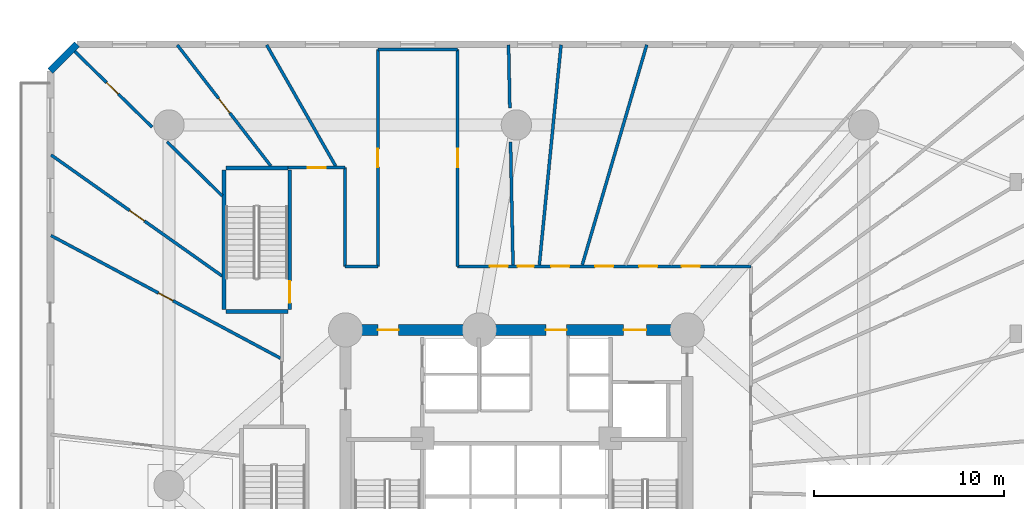
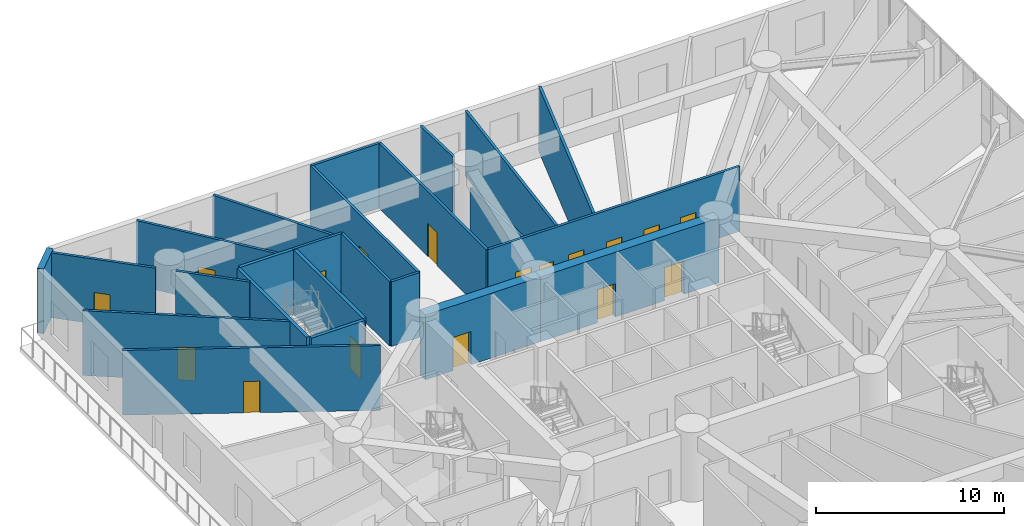
# One storey, part 17 of 26: 24 walls, 17 doors, 17 openings.
"""IFC4 building model written with IfcOpenShell, lengths in metres."""

from ifc_helpers import new_model, si_unit, direction, frame, frame_2d, origin, origin_with_axes, place, context, subcontext, project, spatial, rectangle, extrude, source, transform, mapped, material, layer, layer_set, type_object, element, fill, save


model = new_model("IFC4")

# Units and contexts
model_context = context("Model", 3, precision=1e-05, world=origin(), true_north=direction((0.0, 1.0)))
body_context = subcontext(model_context, "Body", "Model", "MODEL_VIEW")
ifc_project = project(units=[si_unit("LENGTHUNIT", "METRE"), si_unit("AREAUNIT", "SQUARE_METRE"), si_unit("VOLUMEUNIT", "CUBIC_METRE"), si_unit("PLANEANGLEUNIT", "RADIAN"), si_unit("MASSUNIT", "GRAM", prefix="KILO")], contexts=[model_context])

# Site, building, storey
site_placement = place(None, origin())
site = spatial("IfcSite", under=ifc_project, at=site_placement, CompositionType="ELEMENT")
building_placement = place(site_placement, origin())
building = spatial("IfcBuilding", under=site, at=building_placement, Name="Karkom Vertical University and Central Library", CompositionType="ELEMENT")
storey_placement = place(building_placement, frame((0.0, 0.0, 9.0)))
storey = spatial("IfcBuildingStorey", under=building, at=storey_placement, Name="L02", CompositionType="ELEMENT", Elevation=9.0)

# Wall
ifc_material_1 = material(Name="Brick masonry 360mm insulated cavity", Category="masonry")
ifc_layer_1 = layer(ifc_material_1, 0.360107421875)
ifc_layer_set_1 = layer_set([ifc_layer_1], Name="Brick masonry 360mm insulated cavity")
wall_type_1 = type_object("IfcWallType", Name="ENV-WL-BRK-360", PredefinedType="SOLIDWALL", material=ifc_layer_set_1)
wall_1_placement = place(storey_placement, frame((5.35009765625, 49.75, 0.0), z_axis=(0.0, 0.0, 1.0), x_axis=(-0.707168432242, -0.707045124756, 0.0)))
element("IfcWall", 1, at=wall_1_placement, inside=storey, type_object=wall_type_1, Name="Level 02 POD Terracotta Brick Facade Wall 06", PredefinedType="SOLIDWALL", context=body_context, shape_type="SweptSolid", body=[
    extrude(rectangle(XDim=1.97998046875, YDim=0.360107421875, at=frame_2d((0.989990234375, 0.0))), origin(), (0.0, 0.0, 1.0), 4.199951171875),
])

# Wall, openings, doors
ifc_material_2 = material(Name="Insulated metal-stud drywall 160mm", Category="gypsum")
ifc_layer_2 = layer(ifc_material_2, 0.159912109375)
ifc_layer_set_2 = layer_set([ifc_layer_2], Name="Insulated metal-stud drywall 160mm")
wall_type_2 = type_object("IfcWallType", Name="INT-WL-COR-160", PredefinedType="PARTITIONING", material=ifc_layer_set_2)
wall_2_placement = place(storey_placement, frame((25.39990234375, 38.050048828125, 0.0), z_axis=(0.0, 0.0, 1.0), x_axis=(1.0, 0.0, 0.0)))
wall_2 = element("IfcWall", 2, at=wall_2_placement, inside=storey, type_object=wall_type_2, Name="Level 02 Interior Partition Wall Level 02-PDCW-CW-008", PredefinedType="PARTITIONING", context=body_context, shape_type="SweptSolid", body=[
    extrude(rectangle(XDim=15.4501953125, YDim=0.159912109375, at=frame_2d((7.72509765625, 0.0))), origin(), (0.0, 0.0, 1.0), 4.199951171875),
])
opening_1_placement = place(wall_2_placement, frame((11.802490234375, 0.0, 0.0)))
opening_1 = element("IfcOpeningElement", 3, at=opening_1_placement, cuts=wall_2, Name="Opening FD-RM2", PredefinedType="OPENING", context=body_context, shape_type="SweptSolid", body=[
    extrude(rectangle(XDim=0.9599609375, YDim=2.14990234375, at=frame_2d((0.47998046875, 1.074951171875))), frame((0.0, 0.08984375, 0.0), z_axis=(0.0, -1.0, 0.0), x_axis=(1.0, 0.0, 0.0)), (0.0, 0.0, 1.0), 0.179931640625),
])
opening_2_placement = place(wall_2_placement, frame((9.5673828125, 0.0, 0.0)))
opening_2 = element("IfcOpeningElement", 4, at=opening_2_placement, cuts=wall_2, Name="Opening FD-RM2", PredefinedType="OPENING", context=body_context, shape_type="SweptSolid", body=[
    extrude(rectangle(XDim=0.9599609375, YDim=2.14990234375, at=frame_2d((0.47998046875, 1.074951171875))), frame((0.0, 0.08984375, 0.0), z_axis=(0.0, -1.0, 0.0), x_axis=(1.0, 0.0, 0.0)), (0.0, 0.0, 1.0), 0.179931640625),
])
opening_3_placement = place(wall_2_placement, frame((7.25, 0.0, 0.0)))
opening_3 = element("IfcOpeningElement", 5, at=opening_3_placement, cuts=wall_2, Name="Opening FD-RM2", PredefinedType="OPENING", context=body_context, shape_type="SweptSolid", body=[
    extrude(rectangle(XDim=0.9599609375, YDim=2.14990234375, at=frame_2d((0.47998046875, 1.074951171875))), frame((0.0, 0.08984375, 0.0), z_axis=(0.0, -1.0, 0.0), x_axis=(1.0, 0.0, 0.0)), (0.0, 0.0, 1.0), 0.179931640625),
])
opening_4_placement = place(wall_2_placement, frame((4.9326171875, 0.0, 0.0)))
opening_4 = element("IfcOpeningElement", 6, at=opening_4_placement, cuts=wall_2, Name="Opening FD-RM2", PredefinedType="OPENING", context=body_context, shape_type="SweptSolid", body=[
    extrude(rectangle(XDim=0.9599609375, YDim=2.14990234375, at=frame_2d((0.47998046875, 1.074951171875))), frame((0.0, 0.08984375, 0.0), z_axis=(0.0, -1.0, 0.0), x_axis=(1.0, 0.0, 0.0)), (0.0, 0.0, 1.0), 0.179931640625),
])
opening_5_placement = place(wall_2_placement, frame((1.697509765625, 0.0, 0.0)))
opening_5 = element("IfcOpeningElement", 7, at=opening_5_placement, cuts=wall_2, Name="Opening FD-RM2", PredefinedType="OPENING", context=body_context, shape_type="SweptSolid", body=[
    extrude(rectangle(XDim=0.9599609375, YDim=2.14990234375, at=frame_2d((0.47998046875, 1.074951171875))), frame((0.0, 0.08984375, 0.0), z_axis=(0.0, -1.0, 0.0), x_axis=(1.0, 0.0, 0.0)), (0.0, 0.0, 1.0), 0.179931640625),
])
opening_6_placement = place(wall_2_placement, frame((3.1640625, 0.0, 0.0)))
opening_6 = element("IfcOpeningElement", 8, at=opening_6_placement, cuts=wall_2, Name="Opening FD-BTH2", PredefinedType="OPENING", context=body_context, shape_type="SweptSolid", body=[
    extrude(rectangle(XDim=0.860107421875, YDim=2.0400390625, at=frame_2d((0.43017578125, 1.02001953125))), frame((0.0, 0.08984375, 0.0), z_axis=(0.0, -1.0, 0.0), x_axis=(1.0, 0.0, 0.0)), (0.0, 0.0, 1.0), 0.179931640625),
])
ifc_material_3 = material(Name="Fire-rated oak veneer door", Category="wood")
door_type_1 = type_object("IfcDoorType", Name="INT-DR-FRM2", OperationType="NOTDEFINED", PredefinedType="DOOR", material=ifc_material_3)
shared_shape_1 = source(origin_with_axes(), body_context, "Body", "SweptSolid", [
    extrude(rectangle(XDim=0.9599609375, YDim=2.14990234375, at=frame_2d((0.47998046875, 1.074951171875))), frame((0.0, 0.02490234375, 0.0), z_axis=(0.0, -1.0, 0.0), x_axis=(1.0, 0.0, 0.0)), (0.0, 0.0, 1.0), 0.050048828125),
])
door_1_placement = place(opening_1_placement, origin())
door_1 = element("IfcDoor", 9, at=door_1_placement, inside=storey, type_object=door_type_1, Name="Level 02 Room Entry Door 831", OperationType="SINGLE_SWING_LEFT", OverallHeight=2.14990234375, OverallWidth=0.9599609375, PredefinedType="DOOR", context=body_context, shape_type="MappedRepresentation", body=[
    mapped(shared_shape_1, transform((0.0, 0.0, 0.0), scale=1.0)),
])
fill(opening_1, door_1)
door_2_placement = place(opening_2_placement, origin())
door_2 = element("IfcDoor", 10, at=door_2_placement, inside=storey, type_object=door_type_1, Name="Level 02 Room Entry Door 832", OperationType="SINGLE_SWING_RIGHT", OverallHeight=2.14990234375, OverallWidth=0.9599609375, PredefinedType="DOOR", context=body_context, shape_type="MappedRepresentation", body=[
    mapped(shared_shape_1, transform((0.0, 0.0, 0.0), scale=1.0)),
])
fill(opening_2, door_2)
door_3_placement = place(opening_3_placement, origin())
door_3 = element("IfcDoor", 11, at=door_3_placement, inside=storey, type_object=door_type_1, Name="Level 02 Room Entry Door 833", OperationType="SINGLE_SWING_LEFT", OverallHeight=2.14990234375, OverallWidth=0.9599609375, PredefinedType="DOOR", context=body_context, shape_type="MappedRepresentation", body=[
    mapped(shared_shape_1, transform((0.0, 0.0, 0.0), scale=1.0)),
])
fill(opening_3, door_3)
door_4_placement = place(opening_4_placement, origin())
door_4 = element("IfcDoor", 12, at=door_4_placement, inside=storey, type_object=door_type_1, Name="Level 02 Room Entry Door 834", OperationType="SINGLE_SWING_RIGHT", OverallHeight=2.14990234375, OverallWidth=0.9599609375, PredefinedType="DOOR", context=body_context, shape_type="MappedRepresentation", body=[
    mapped(shared_shape_1, transform((0.0, 0.0, 0.0), scale=1.0)),
])
fill(opening_4, door_4)
door_5_placement = place(opening_5_placement, origin())
door_5 = element("IfcDoor", 13, at=door_5_placement, inside=storey, type_object=door_type_1, Name="Level 02 Room Entry Door 835", OperationType="SINGLE_SWING_LEFT", OverallHeight=2.14990234375, OverallWidth=0.9599609375, PredefinedType="DOOR", context=body_context, shape_type="MappedRepresentation", body=[
    mapped(shared_shape_1, transform((0.0, 0.0, 0.0), scale=1.0)),
])
fill(opening_5, door_5)
ifc_material_4 = material(Name="Fire-rated moisture-resistant oak door", Category="wood")
door_type_2 = type_object("IfcDoorType", Name="INT-DR-FBTH2", OperationType="NOTDEFINED", PredefinedType="DOOR", material=ifc_material_4)
shared_shape_2 = source(origin_with_axes(), body_context, "Body", "SweptSolid", [
    extrude(rectangle(XDim=0.860107421875, YDim=2.0400390625, at=frame_2d((0.43017578125, 1.02001953125))), frame((0.0, 0.02490234375, 0.0), z_axis=(0.0, -1.0, 0.0), x_axis=(1.0, 0.0, 0.0)), (0.0, 0.0, 1.0), 0.050048828125),
])
door_6_placement = place(opening_6_placement, origin())
door_6 = element("IfcDoor", 14, at=door_6_placement, inside=storey, type_object=door_type_2, Name="Level 02 Digital Fabrication Classroom Entry Door", OperationType="SINGLE_SWING_LEFT", OverallHeight=2.0400390625, OverallWidth=0.860107421875, PredefinedType="DOOR", context=body_context, shape_type="MappedRepresentation", body=[
    mapped(shared_shape_2, transform((0.0, 0.0, 0.0), scale=1.0)),
])
fill(opening_6, door_6)

# Wall, opening, door
wall_3_placement = place(storey_placement, frame((16.068115234375, 33.21435546875, 0.0), z_axis=(0.0, 0.0, 1.0), x_axis=(-0.881886972295, 0.471460887132, 0.0)))
wall_3 = element("IfcWall", 15, at=wall_3_placement, inside=storey, type_object=wall_type_2, Name="Level 02 Interior Partition Wall Level 02-PODW-42-43-1", PredefinedType="PARTITIONING", context=body_context, shape_type="SweptSolid", body=[
    extrude(rectangle(XDim=13.7041015625, YDim=0.159912109375, at=frame_2d((6.85205078125, 0.0))), origin(), (0.0, 0.0, 1.0), 4.199951171875),
])
opening_7_placement = place(wall_3_placement, frame((6.422119140625, 0.0, 0.0)))
opening_7 = element("IfcOpeningElement", 16, at=opening_7_placement, cuts=wall_3, Name="Opening FD-BTH2", PredefinedType="OPENING", context=body_context, shape_type="SweptSolid", body=[
    extrude(rectangle(XDim=0.860107421875, YDim=2.0400390625, at=frame_2d((0.43017578125, 1.02001953125))), frame((0.0, 0.08984375, 0.0), z_axis=(0.0, -1.0, 0.0), x_axis=(1.0, 0.0, 0.0)), (0.0, 0.0, 1.0), 0.179931640625),
])
door_7_placement = place(opening_7_placement, origin())
door_7 = element("IfcDoor", 17, at=door_7_placement, inside=storey, type_object=door_type_2, Name="Level 02 Faculty Board Meeting Room Entry Door", OperationType="SINGLE_SWING_LEFT", OverallHeight=2.0400390625, OverallWidth=0.860107421875, PredefinedType="DOOR", context=body_context, shape_type="MappedRepresentation", body=[
    mapped(shared_shape_2, transform((0.0, 0.0, 0.0), scale=1.0)),
])
fill(opening_7, door_7)

# Walls
wall_4_placement = place(storey_placement, frame((31.9716796875, 38.132080078125, 0.0), z_axis=(0.0, 0.0, 1.0), x_axis=(0.281237056868, 0.959638326582, 0.0)))
element("IfcWall", 18, at=wall_4_placement, inside=storey, type_object=wall_type_2, Name="Level 02 Interior Partition Wall Level 02-PODW-34-35-1", PredefinedType="PARTITIONING", context=body_context, shape_type="SweptSolid", body=[
    extrude(rectangle(XDim=12.077880859375, YDim=0.159912109375, at=frame_2d((6.0390625, 0.0))), origin(), (0.0, 0.0, 1.0), 4.199951171875),
])
wall_5_placement = place(storey_placement, frame((29.70947265625, 38.132080078125, 0.0), z_axis=(0.0, 0.0, 1.0), x_axis=(0.098293881021, 0.995157431241, 0.0)))
element("IfcWall", 19, at=wall_5_placement, inside=storey, type_object=wall_type_2, Name="Level 02 Interior Partition Wall Level 02-PODW-35-36-1", PredefinedType="PARTITIONING", context=body_context, shape_type="SweptSolid", body=[
    extrude(rectangle(XDim=11.64892578125, YDim=0.159912109375, at=frame_2d((5.824462890625, 0.0))), origin(), (0.0, 0.0, 1.0), 4.199951171875),
])

# Wall, opening, door
wall_6_placement = place(storey_placement, frame((21.199951171875, 38.050048828125, 0.0), z_axis=(0.0, 0.0, 1.0), x_axis=(0.0, 1.0, 0.0)))
wall_6 = element("IfcWall", 20, at=wall_6_placement, inside=storey, type_object=wall_type_2, Name="Level 02 Interior Partition Wall Level 02-PDCW-CW-005", PredefinedType="PARTITIONING", context=body_context, shape_type="SweptSolid", body=[
    extrude(rectangle(XDim=11.419921875, YDim=0.159912109375, at=frame_2d((5.7099609375, 0.0))), origin(), (0.0, 0.0, 1.0), 4.199951171875),
])
opening_8_placement = place(wall_6_placement, frame((5.235107421875, 0.0, 0.0)))
opening_8 = element("IfcOpeningElement", 21, at=opening_8_placement, cuts=wall_6, Name="Opening FD-RM2", PredefinedType="OPENING", context=body_context, shape_type="SweptSolid", body=[
    extrude(rectangle(XDim=0.9599609375, YDim=2.14990234375, at=frame_2d((0.47998046875, 1.074951171875))), frame((0.0, 0.08984375, 0.0), z_axis=(0.0, -1.0, 0.0), x_axis=(1.0, 0.0, 0.0)), (0.0, 0.0, 1.0), 0.179931640625),
])
door_8_placement = place(opening_8_placement, origin())
door_8 = element("IfcDoor", 22, at=door_8_placement, inside=storey, type_object=door_type_1, Name="Level 02 Room Entry Door 837", OperationType="SINGLE_SWING_LEFT", OverallHeight=2.14990234375, OverallWidth=0.9599609375, PredefinedType="DOOR", context=body_context, shape_type="MappedRepresentation", body=[
    mapped(shared_shape_1, transform((0.0, 0.0, 0.0), scale=1.0)),
])
fill(opening_8, door_8)

wall_7_placement = place(storey_placement, frame((25.39990234375, 49.469970703125, 0.0), z_axis=(0.0, 0.0, 1.0), x_axis=(0.0, -1.0, 0.0)))
wall_7 = element("IfcWall", 23, at=wall_7_placement, inside=storey, type_object=wall_type_2, Name="Level 02 Interior Partition Wall Level 02-PDCW-CW-007", PredefinedType="PARTITIONING", context=body_context, shape_type="SweptSolid", body=[
    extrude(rectangle(XDim=11.419921875, YDim=0.159912109375, at=frame_2d((5.7099609375, 0.0))), origin(), (0.0, 0.0, 1.0), 4.199951171875),
])
opening_9_placement = place(wall_7_placement, frame((5.235107421875, 0.0, 0.0)))
opening_9 = element("IfcOpeningElement", 24, at=opening_9_placement, cuts=wall_7, Name="Opening FD-RM2", PredefinedType="OPENING", context=body_context, shape_type="SweptSolid", body=[
    extrude(rectangle(XDim=0.9599609375, YDim=2.14990234375, at=frame_2d((0.47998046875, 1.074951171875))), frame((0.0, 0.08984375, 0.0), z_axis=(0.0, -1.0, 0.0), x_axis=(1.0, 0.0, 0.0)), (0.0, 0.0, 1.0), 0.179931640625),
])
door_9_placement = place(opening_9_placement, origin())
door_9 = element("IfcDoor", 25, at=door_9_placement, inside=storey, type_object=door_type_1, Name="Level 02 Room Entry Door 836", OperationType="SINGLE_SWING_RIGHT", OverallHeight=2.14990234375, OverallWidth=0.9599609375, PredefinedType="DOOR", context=body_context, shape_type="MappedRepresentation", body=[
    mapped(shared_shape_1, transform((0.0, 0.0, 0.0), scale=1.0)),
])
fill(opening_9, door_9)

wall_8_placement = place(storey_placement, frame((13.005126953125, 37.539794921875, 0.0), z_axis=(0.0, 0.0, 1.0), x_axis=(-0.816255020813, 0.577691735269, 0.0)))
wall_8 = element("IfcWall", 26, at=wall_8_placement, inside=storey, type_object=wall_type_2, Name="Level 02 Interior Partition Wall Level 02-PODW-41-42-1", PredefinedType="PARTITIONING", context=body_context, shape_type="SweptSolid", body=[
    extrude(rectangle(XDim=11.04833984375, YDim=0.159912109375, at=frame_2d((5.524169921875, 0.0))), origin(), (0.0, 0.0, 1.0), 4.199951171875),
])
opening_10_placement = place(wall_8_placement, frame((5.024169921875, 0.0, 0.0)))
opening_10 = element("IfcOpeningElement", 27, at=opening_10_placement, cuts=wall_8, Name="Opening FD-RM2", PredefinedType="OPENING", context=body_context, shape_type="SweptSolid", body=[
    extrude(rectangle(XDim=0.9599609375, YDim=2.14990234375, at=frame_2d((0.47998046875, 1.074951171875))), frame((0.0, 0.08984375, 0.0), z_axis=(0.0, -1.0, 0.0), x_axis=(1.0, 0.0, 0.0)), (0.0, 0.0, 1.0), 0.179931640625),
])
door_10_placement = place(opening_10_placement, origin())
door_10 = element("IfcDoor", 28, at=door_10_placement, inside=storey, type_object=door_type_1, Name="Level 02 Room Entry Door 840", OperationType="SINGLE_SWING_RIGHT", OverallHeight=2.14990234375, OverallWidth=0.9599609375, PredefinedType="DOOR", context=body_context, shape_type="MappedRepresentation", body=[
    mapped(shared_shape_1, transform((0.0, 0.0, 0.0), scale=1.0)),
])
fill(opening_10, door_10)

wall_9_placement = place(storey_placement, frame((15.564697265625, 43.3369140625, 0.0), z_axis=(0.0, 0.0, 1.0), x_axis=(-0.611449226112, 0.791283668407, 0.0)))
wall_9 = element("IfcWall", 29, at=wall_9_placement, inside=storey, type_object=wall_type_2, Name="Level 02 Interior Partition Wall Level 02-PODW-39-40-1", PredefinedType="PARTITIONING", context=body_context, shape_type="SweptSolid", body=[
    extrude(rectangle(XDim=8.055908203125, YDim=0.159912109375, at=frame_2d((4.02783203125, 0.0))), origin(), (0.0, 0.0, 1.0), 4.199951171875),
])
opening_11_placement = place(wall_9_placement, frame((3.535400390625, 0.0, 0.0)))
opening_11 = element("IfcOpeningElement", 30, at=opening_11_placement, cuts=wall_9, Name="Opening FD-RM2", PredefinedType="OPENING", context=body_context, shape_type="SweptSolid", body=[
    extrude(rectangle(XDim=0.9599609375, YDim=2.14990234375, at=frame_2d((0.47998046875, 1.074951171875))), frame((0.0, 0.08984375, 0.0), z_axis=(0.0, -1.0, 0.0), x_axis=(1.0, 0.0, 0.0)), (0.0, 0.0, 1.0), 0.179931640625),
])
door_11_placement = place(opening_11_placement, origin())
door_11 = element("IfcDoor", 31, at=door_11_placement, inside=storey, type_object=door_type_1, Name="Level 02 Room Entry Door 839", OperationType="SINGLE_SWING_LEFT", OverallHeight=2.14990234375, OverallWidth=0.9599609375, PredefinedType="DOOR", context=body_context, shape_type="MappedRepresentation", body=[
    mapped(shared_shape_1, transform((0.0, 0.0, 0.0), scale=1.0)),
])
fill(opening_11, door_11)

# Walls
wall_10_placement = place(storey_placement, frame((18.9794921875, 43.33203125, 0.0), z_axis=(0.0, 0.0, 1.0), x_axis=(-0.495000650274, 0.868892603391, 0.0)))
element("IfcWall", 32, at=wall_10_placement, inside=storey, type_object=wall_type_2, Name="Level 02 Interior Partition Wall Level 02-PODW-38-39-1", PredefinedType="PARTITIONING", context=body_context, shape_type="SweptSolid", body=[
    extrude(rectangle(XDim=7.347900390625, YDim=0.159912109375, at=frame_2d((3.673828125, 0.0))), origin(), (0.0, 0.0, 1.0), 4.199951171875),
])
wall_11_placement = place(storey_placement, frame((28.323486328125, 38.132080078125, 0.0), z_axis=(0.0, 0.0, 1.0), x_axis=(-0.020309370156, 0.999793743471, 0.0)))
element("IfcWall", 33, at=wall_11_placement, inside=storey, type_object=wall_type_2, Name="Level 02 Interior Partition Wall Level 02-PODW-36-37-2", PredefinedType="PARTITIONING", context=body_context, shape_type="SweptSolid", body=[
    extrude(rectangle(XDim=6.479248046875, YDim=0.159912109375, at=frame_2d((3.23974609375, 0.0))), origin(), (0.0, 0.0, 1.0), 3.25),
])

# Wall, opening, door
wall_12_placement = place(storey_placement, frame((9.31005859375, 45.384521484375, 0.0), z_axis=(0.0, 0.0, 1.0), x_axis=(-0.714336488375, 0.699802387375, 0.0)))
wall_12 = element("IfcWall", 34, at=wall_12_placement, inside=storey, type_object=wall_type_2, Name="Level 02 Interior Partition Wall Level 02-PODW-40-41-2", PredefinedType="PARTITIONING", context=body_context, shape_type="SweptSolid", body=[
    extrude(rectangle(XDim=5.8623046875, YDim=0.159912109375, at=frame_2d((2.93115234375, 0.0))), origin(), (0.0, 0.0, 1.0), 4.199951171875),
])
opening_12_placement = place(wall_12_placement, frame((2.501220703125, 0.0, 0.0)))
opening_12 = element("IfcOpeningElement", 35, at=opening_12_placement, cuts=wall_12, Name="Opening FD-BTH2", PredefinedType="OPENING", context=body_context, shape_type="SweptSolid", body=[
    extrude(rectangle(XDim=0.860107421875, YDim=2.0400390625, at=frame_2d((0.43017578125, 1.02001953125))), frame((0.0, 0.08984375, 0.0), z_axis=(0.0, -1.0, 0.0), x_axis=(1.0, 0.0, 0.0)), (0.0, 0.0, 1.0), 0.179931640625),
])
door_12_placement = place(opening_12_placement, origin())
door_12 = element("IfcDoor", 36, at=door_12_placement, inside=storey, type_object=door_type_2, Name="Level 02 Digital Fabrication Classroom Entry Door", OperationType="SINGLE_SWING_RIGHT", OverallHeight=2.0400390625, OverallWidth=0.860107421875, PredefinedType="DOOR", context=body_context, shape_type="MappedRepresentation", body=[
    mapped(shared_shape_2, transform((0.0, 0.0, 0.0), scale=1.0)),
])
fill(opening_12, door_12)

# Walls
wall_13_placement = place(storey_placement, frame((19.47998046875, 43.25, 0.0), z_axis=(0.0, 0.0, 1.0), x_axis=(0.0, -1.0, 0.0)))
element("IfcWall", 37, at=wall_13_placement, inside=storey, type_object=wall_type_2, Name="Level 02 Interior Partition Wall Level 02-PDCW-CW-003", PredefinedType="PARTITIONING", context=body_context, shape_type="SweptSolid", body=[
    extrude(rectangle(XDim=5.199951171875, YDim=0.159912109375, at=frame_2d((2.60009765625, 0.0))), origin(), (0.0, 0.0, 1.0), 4.199951171875),
])
wall_14_placement = place(storey_placement, frame((21.199951171875, 49.469970703125, 0.0), z_axis=(0.0, 0.0, 1.0), x_axis=(1.0, 0.0, 0.0)))
element("IfcWall", 38, at=wall_14_placement, inside=storey, type_object=wall_type_2, Name="Level 02 Interior Partition Wall Level 02-PDCW-CW-006", PredefinedType="PARTITIONING", context=body_context, shape_type="SweptSolid", body=[
    extrude(rectangle(XDim=4.199951171875, YDim=0.159912109375, at=frame_2d((2.10009765625, 0.0))), origin(), (0.0, 0.0, 1.0), 4.199951171875),
])
wall_15_placement = place(storey_placement, frame((13.003662109375, 41.765625, 0.0), z_axis=(0.0, 0.0, 1.0), x_axis=(-0.714278297669, 0.699861781696, 0.0)))
element("IfcWall", 39, at=wall_15_placement, inside=storey, type_object=wall_type_2, Name="Level 02 Interior Partition Wall Level 02-PODW-40-41-1", PredefinedType="PARTITIONING", context=body_context, shape_type="SweptSolid", body=[
    extrude(rectangle(XDim=4.064453125, YDim=0.159912109375, at=frame_2d((2.0322265625, 0.0))), origin(), (0.0, 0.0, 1.0), 4.199951171875),
])
wall_16_placement = place(storey_placement, frame((28.15576171875, 46.389892578125, 0.0), z_axis=(0.0, 0.0, 1.0), x_axis=(-0.020345688852, 0.999793005049, 0.0)))
element("IfcWall", 40, at=wall_16_placement, inside=storey, type_object=wall_type_2, Name="Level 02 Interior Partition Wall Level 02-PODW-36-37-1", PredefinedType="PARTITIONING", context=body_context, shape_type="SweptSolid", body=[
    extrude(rectangle(XDim=3.3359375, YDim=0.159912109375, at=frame_2d((1.66796875, 0.0))), origin(), (0.0, 0.0, 1.0), 4.199951171875),
])

# Wall, opening, door
wall_17_placement = place(storey_placement, frame((16.465087890625, 43.25, 0.0), z_axis=(0.0, 0.0, 1.0), x_axis=(1.0, 0.0, 0.0)))
wall_17 = element("IfcWall", 41, at=wall_17_placement, inside=storey, type_object=wall_type_2, Name="Level 02 Interior Partition Wall Level 02-PDCW-CW-002", PredefinedType="PARTITIONING", context=body_context, shape_type="SweptSolid", body=[
    extrude(rectangle(XDim=3.014892578125, YDim=0.159912109375, at=frame_2d((1.50732421875, 0.0))), origin(), (0.0, 0.0, 1.0), 4.199951171875),
])
opening_13_placement = place(wall_17_placement, frame((1.034912109375, 0.0, 0.0)))
opening_13 = element("IfcOpeningElement", 42, at=opening_13_placement, cuts=wall_17, Name="Opening FD-RM2", PredefinedType="OPENING", context=body_context, shape_type="SweptSolid", body=[
    extrude(rectangle(XDim=0.9599609375, YDim=2.14990234375, at=frame_2d((0.47998046875, 1.074951171875))), frame((0.0, 0.08984375, 0.0), z_axis=(0.0, -1.0, 0.0), x_axis=(1.0, 0.0, 0.0)), (0.0, 0.0, 1.0), 0.179931640625),
])
door_13_placement = place(opening_13_placement, origin())
door_13 = element("IfcDoor", 43, at=door_13_placement, inside=storey, type_object=door_type_1, Name="Level 02 Room Entry Door 838", OperationType="SINGLE_SWING_RIGHT", OverallHeight=2.14990234375, OverallWidth=0.9599609375, PredefinedType="DOOR", context=body_context, shape_type="MappedRepresentation", body=[
    mapped(shared_shape_1, transform((0.0, 0.0, 0.0), scale=1.0)),
])
fill(opening_13, door_13)

# Wall
wall_18_placement = place(storey_placement, frame((19.47998046875, 38.050048828125, 0.0), z_axis=(0.0, 0.0, 1.0), x_axis=(1.0, 0.0, 0.0)))
element("IfcWall", 44, at=wall_18_placement, inside=storey, type_object=wall_type_2, Name="Level 02 Interior Partition Wall Level 02-PDCW-CW-004", PredefinedType="PARTITIONING", context=body_context, shape_type="SweptSolid", body=[
    extrude(rectangle(XDim=1.719970703125, YDim=0.159912109375, at=frame_2d((0.85986328125, 0.0))), origin(), (0.0, 0.0, 1.0), 4.199951171875),
])

# Wall, openings, doors
ifc_material_5 = material(Name="Concrete C50/60", Category="concrete")
ifc_layer_3 = layer(ifc_material_5, 0.60009765625)
ifc_layer_set_3 = layer_set([ifc_layer_3], Name="Concrete C50/60")
wall_type_3 = type_object("IfcWallType", Name="STR-WL-CW-600", PredefinedType="SHEAR", material=ifc_layer_set_3)
wall_19_placement = place(storey_placement, frame((37.5, 34.699951171875, 0.0), z_axis=(0.0, 0.0, 1.0), x_axis=(-1.0, 0.0, 0.0)))
wall_19 = element("IfcWall", 45, at=wall_19_placement, inside=storey, type_object=wall_type_3, Name="Level 02 Central Core Shear Wall NW1", PredefinedType="SHEAR", context=body_context, shape_type="SweptSolid", body=[
    extrude(rectangle(XDim=10.949951171875, YDim=0.60009765625, at=frame_2d((5.47509765625, 0.0))), origin(), (0.0, 0.0, 1.0), 4.199951171875),
])
opening_14_placement = place(wall_19_placement, frame((2.14990234375, 0.0, 0.0)))
opening_14 = element("IfcOpeningElement", 46, at=opening_14_placement, cuts=wall_19, Name="Opening FD-SUB1", PredefinedType="OPENING", context=body_context, shape_type="SweptSolid", body=[
    extrude(rectangle(XDim=1.199951171875, YDim=2.14990234375, at=frame_2d((0.60009765625, 1.074951171875))), frame((0.0, 0.31005859375, 0.0), z_axis=(0.0, -1.0, 0.0), x_axis=(1.0, 0.0, 0.0)), (0.0, 0.0, 1.0), 0.6201171875),
])
opening_15_placement = place(wall_19_placement, frame((6.35009765625, 0.0, 0.0)))
opening_15 = element("IfcOpeningElement", 47, at=opening_15_placement, cuts=wall_19, Name="Opening FD-FFL", PredefinedType="OPENING", context=body_context, shape_type="SweptSolid", body=[
    extrude(rectangle(XDim=1.10009765625, YDim=2.14990234375, at=frame_2d((0.550048828125, 1.074951171875))), frame((0.0, 0.31005859375, 0.0), z_axis=(0.0, -1.0, 0.0), x_axis=(1.0, 0.0, 0.0)), (0.0, 0.0, 1.0), 0.6201171875),
])
ifc_material_6 = material(Name="Painted steel smoke-seal fire door", Category="steel")
door_type_3 = type_object("IfcDoorType", Name="INT-DR-FFL", OperationType="NOTDEFINED", PredefinedType="DOOR", material=ifc_material_6)
shared_shape_3 = source(origin_with_axes(), body_context, "Body", "SweptSolid", [
    extrude(rectangle(XDim=1.10009765625, YDim=2.14990234375, at=frame_2d((0.550048828125, 1.074951171875))), frame((0.0, 0.02490234375, 0.0), z_axis=(0.0, -1.0, 0.0), x_axis=(1.0, 0.0, 0.0)), (0.0, 0.0, 1.0), 0.050048828125),
])
door_14_placement = place(opening_15_placement, origin())
door_14 = element("IfcDoor", 48, at=door_14_placement, inside=storey, type_object=door_type_3, Name="Level 02 North Core Lobby Exit Door", OperationType="SINGLE_SWING_LEFT", OverallHeight=2.14990234375, OverallWidth=1.10009765625, PredefinedType="DOOR", context=body_context, shape_type="MappedRepresentation", body=[
    mapped(shared_shape_3, transform((0.0, 0.0, 0.0), scale=1.0)),
])
fill(opening_15, door_14)
ifc_material_7 = material(Name="Painted steel fire door", Category="steel")
door_type_4 = type_object("IfcDoorType", Name="INT-DR-SUB1", OperationType="NOTDEFINED", PredefinedType="DOOR", material=ifc_material_7)
shared_shape_4 = source(origin_with_axes(), body_context, "Body", "SweptSolid", [
    extrude(rectangle(XDim=1.199951171875, YDim=2.14990234375, at=frame_2d((0.60009765625, 1.074951171875))), frame((0.0, 0.02490234375, 0.0), z_axis=(0.0, -1.0, 0.0), x_axis=(1.0, 0.0, 0.0)), (0.0, 0.0, 1.0), 0.050048828125),
])
door_15_placement = place(opening_14_placement, origin())
door_15 = element("IfcDoor", 49, at=door_15_placement, inside=storey, type_object=door_type_4, Name="Level 02 Service Lobby Fire Door", OperationType="SINGLE_SWING_LEFT", OverallHeight=2.14990234375, OverallWidth=1.199951171875, PredefinedType="DOOR", context=body_context, shape_type="MappedRepresentation", body=[
    mapped(shared_shape_4, transform((0.0, 0.0, 0.0), scale=1.0)),
])
fill(opening_14, door_15)

# Wall, opening, door
wall_20_placement = place(storey_placement, frame((26.550048828125, 34.699951171875, 0.0), z_axis=(0.0, 0.0, 1.0), x_axis=(-1.0, 0.0, 0.0)))
wall_20 = element("IfcWall", 50, at=wall_20_placement, inside=storey, type_object=wall_type_3, Name="Level 02 Central Core Shear Wall NW2", PredefinedType="SHEAR", context=body_context, shape_type="SweptSolid", body=[
    extrude(rectangle(XDim=7.050048828125, YDim=0.60009765625, at=frame_2d((3.52490234375, 0.0))), origin(), (0.0, 0.0, 1.0), 4.199951171875),
])
opening_16_placement = place(wall_20_placement, frame((4.25, 0.0, 0.0)))
opening_16 = element("IfcOpeningElement", 51, at=opening_16_placement, cuts=wall_20, Name="Opening FD-FFL", PredefinedType="OPENING", context=body_context, shape_type="SweptSolid", body=[
    extrude(rectangle(XDim=1.10009765625, YDim=2.14990234375, at=frame_2d((0.550048828125, 1.074951171875))), frame((0.0, 0.31005859375, 0.0), z_axis=(0.0, -1.0, 0.0), x_axis=(1.0, 0.0, 0.0)), (0.0, 0.0, 1.0), 0.6201171875),
])
door_16_placement = place(opening_16_placement, origin())
door_16 = element("IfcDoor", 52, at=door_16_placement, inside=storey, type_object=door_type_3, Name="Level 02 Firefighting Lobby Door", OperationType="SINGLE_SWING_RIGHT", OverallHeight=2.14990234375, OverallWidth=1.10009765625, PredefinedType="DOOR", context=body_context, shape_type="MappedRepresentation", body=[
    mapped(shared_shape_3, transform((0.0, 0.0, 0.0), scale=1.0)),
])
fill(opening_16, door_16)

# Wall
ifc_material_8 = material(Name="Concrete C45/55", Category="concrete")
ifc_layer_4 = layer(ifc_material_8, 0.199951171875)
ifc_layer_set_4 = layer_set([ifc_layer_4], Name="Concrete C45/55")
wall_type_4 = type_object("IfcWallType", Name="STR-WL-ST-200", PredefinedType="SHEAR", material=ifc_layer_set_4)
wall_21_placement = place(storey_placement, frame((13.094970703125, 35.780029296875, 0.0), z_axis=(0.0, 0.0, 1.0), x_axis=(0.0, 1.0, 0.0)))
element("IfcWall", 53, at=wall_21_placement, inside=storey, type_object=wall_type_4, Name="Level 02 Core Shaft Wall Level 02-W-POD2-W", PredefinedType="SHEAR", context=body_context, shape_type="SweptSolid", body=[
    extrude(rectangle(XDim=7.349853515625, YDim=0.199951171875, at=frame_2d((3.6748046875, 0.0))), origin(), (0.0, 0.0, 1.0), 4.199951171875),
])

# Wall, opening, door
wall_22_placement = place(storey_placement, frame((16.56494140625, 35.780029296875, 0.0), z_axis=(0.0, 0.0, 1.0), x_axis=(0.0, 1.0, 0.0)))
wall_22 = element("IfcWall", 54, at=wall_22_placement, inside=storey, type_object=wall_type_4, Name="Level 02 Core Shaft Wall Level 02-W-POD2-E", PredefinedType="SHEAR", context=body_context, shape_type="SweptSolid", body=[
    extrude(rectangle(XDim=7.349853515625, YDim=0.199951171875, at=frame_2d((3.6748046875, 0.0))), origin(), (0.0, 0.0, 1.0), 4.199951171875),
])
opening_17_placement = place(wall_22_placement, frame((0.35009765625, 0.0, 0.0)))
opening_17 = element("IfcOpeningElement", 55, at=opening_17_placement, cuts=wall_22, Name="Opening FD-ST1", PredefinedType="OPENING", context=body_context, shape_type="SweptSolid", body=[
    extrude(rectangle(XDim=1.14990234375, YDim=2.14990234375, at=frame_2d((0.574951171875, 1.074951171875))), frame((0.0, 0.10986328125, 0.0), z_axis=(0.0, -1.0, 0.0), x_axis=(1.0, 0.0, 0.0)), (0.0, 0.0, 1.0), 0.219970703125),
])
ifc_material_9 = material(Name="Painted steel acoustic fire door", Category="steel")
door_type_5 = type_object("IfcDoorType", Name="INT-DR-ST1", OperationType="NOTDEFINED", PredefinedType="DOOR", material=ifc_material_9)
shared_shape_5 = source(origin_with_axes(), body_context, "Body", "SweptSolid", [
    extrude(rectangle(XDim=1.14990234375, YDim=2.14990234375, at=frame_2d((0.574951171875, 1.074951171875))), frame((0.0, 0.02490234375, 0.0), z_axis=(0.0, -1.0, 0.0), x_axis=(1.0, 0.0, 0.0)), (0.0, 0.0, 1.0), 0.050048828125),
])
door_17_placement = place(opening_17_placement, origin())
door_17 = element("IfcDoor", 56, at=door_17_placement, inside=storey, type_object=door_type_5, Name="Level 02 POD2 Stair Door", OperationType="SINGLE_SWING_RIGHT", OverallHeight=2.14990234375, OverallWidth=1.14990234375, PredefinedType="DOOR", context=body_context, shape_type="MappedRepresentation", body=[
    mapped(shared_shape_5, transform((0.0, 0.0, 0.0), scale=1.0)),
])
fill(opening_17, door_17)

# Walls
for number, where, z_axis, x_axis, name in (
    (57, (13.199951171875, 35.675048828125, 0.0), (0.0, 0.0, 1.0), (1.0, 0.0, 0.0), "Level 02 Core Shaft Wall Level 02-W-POD2-S"),
    (58, (13.199951171875, 43.235107421875, 0.0), (0.0, 0.0, 1.0), (1.0, 0.0, 0.0), "Level 02 Core Shaft Wall Level 02-W-POD2-N"),
):
    element("IfcWall", number, at=place(storey_placement, frame(where, z_axis=z_axis, x_axis=x_axis)), inside=storey, type_object=wall_type_4, Name=name, PredefinedType="SHEAR", context=body_context, shape_type="SweptSolid", body=[
        extrude(rectangle(XDim=3.260009765625, YDim=0.199951171875, at=frame_2d((1.6298828125, 0.0))), origin(), (0.0, 0.0, 1.0), 4.199951171875),
    ])

save(model, "model.ifc")
